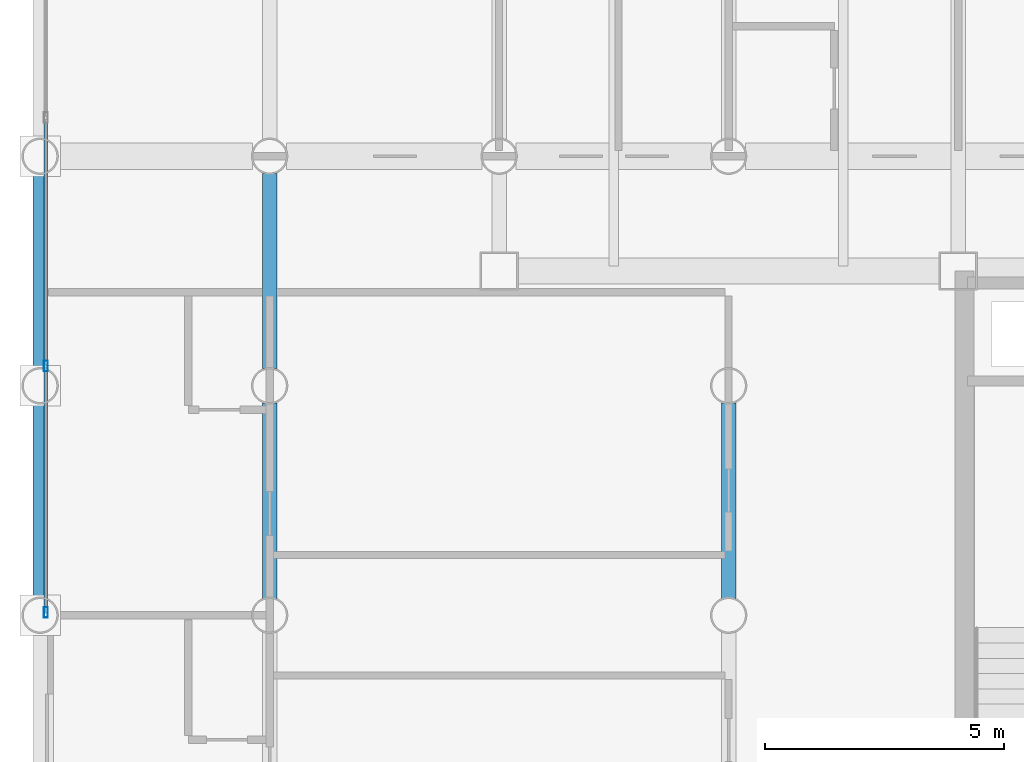
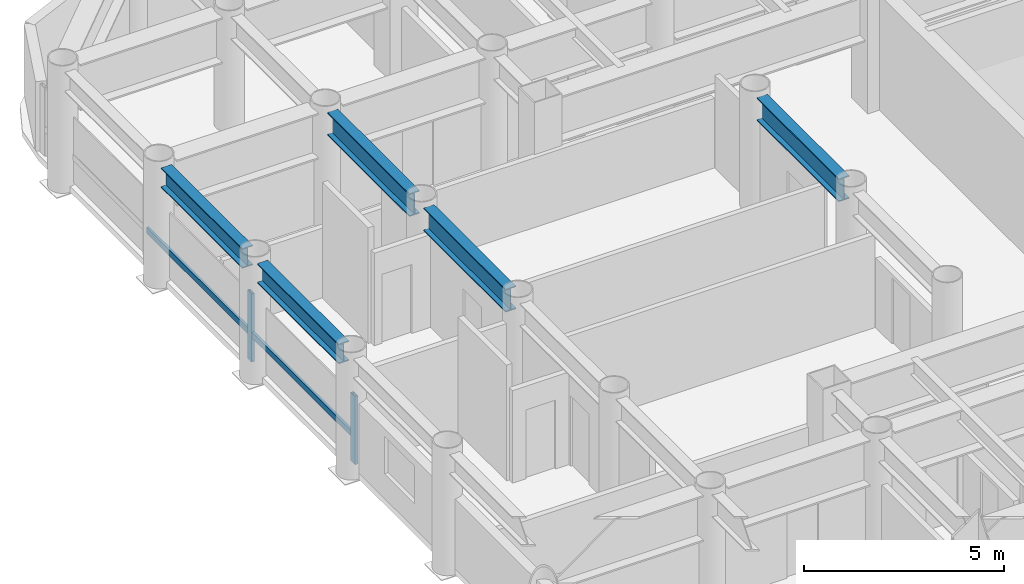
# One storey, part 4 of 24: 5 beams, 4 members, 1 element without a shape of its own.
"""IFC4 building model written with IfcOpenShell, lengths in metres."""

from ifc_helpers import new_model, si_unit, direction, frame, origin, origin_2d, place, context, subcontext, project, spatial, hollow_rectangle, i_section, extrude, material, layer, layer_set, material_profile, profile_set, type_object, element, aggregate, save


model = new_model("IFC4")

# Units and contexts
model_context = context("Model", 3, precision=1e-05, world=origin(), true_north=direction((0.0, 1.0)))
body_context = subcontext(model_context, "Body", "Model", "MODEL_VIEW")
ifc_project = project(units=[si_unit("LENGTHUNIT", "METRE"), si_unit("AREAUNIT", "SQUARE_METRE"), si_unit("VOLUMEUNIT", "CUBIC_METRE"), si_unit("PLANEANGLEUNIT", "RADIAN"), si_unit("MASSUNIT", "GRAM", prefix="KILO")], contexts=[model_context])

# Site, building, storey
site_placement = place(None, origin())
site = spatial("IfcSite", under=ifc_project, at=site_placement, CompositionType="ELEMENT")
building_placement = place(site_placement, origin())
building = spatial("IfcBuilding", under=site, at=building_placement, Name="Kallvorn Hotel Tower", CompositionType="ELEMENT")
storey_placement = place(building_placement, frame((0.0, 0.0, 30.0)))
storey = spatial("IfcBuildingStorey", under=building, at=storey_placement, Name="L05", CompositionType="ELEMENT", Elevation=30.0)

# Beams
ifc_material_1 = material(Name="Structural steel S355JR", Category="steel")
ifc_material_profile_1 = material_profile(ifc_material_1, i_section(OverallWidth=0.300048828125, OverallDepth=0.60009765625, WebThickness=0.015380859375, FlangeThickness=0.030029296875, at=origin_2d()), Name="HE 600 B")
ifc_profile_set_1 = profile_set([ifc_material_profile_1], Name="Structural steel S355JR")
beam_type_1 = type_object("IfcBeamType", Name="BM_HE600B", PredefinedType="SPANDREL", material=ifc_profile_set_1)
beam_1_placement = place(storey_placement, frame((-33.60009765625, 0.37109375, 3.219970703125), z_axis=(0.0, 1.0, 0.0), x_axis=(-1.0, 0.0, 0.0)))
element("IfcBeam", 1, at=beam_1_placement, inside=storey, type_object=beam_type_1, Name="L06 Perimeter Spandrel 178", PredefinedType="SPANDREL", context=body_context, shape_type="SweptSolid", body=[
    extrude(i_section(OverallWidth=0.300048828125, OverallDepth=0.60009765625, WebThickness=0.015380859375, FlangeThickness=0.030029296875, at=origin_2d()), origin(), (0.0, 0.0, 1.0), 4.057861328125),
])
beam_2_placement = place(storey_placement, frame((-33.60009765625, 5.1708984375, 3.219970703125), z_axis=(0.0, 1.0, 0.0), x_axis=(-1.0, 0.0, 0.0)))
element("IfcBeam", 2, at=beam_2_placement, inside=storey, type_object=beam_type_1, Name="L06 Perimeter Spandrel 179", PredefinedType="SPANDREL", context=body_context, shape_type="SweptSolid", body=[
    extrude(i_section(OverallWidth=0.300048828125, OverallDepth=0.60009765625, WebThickness=0.015380859375, FlangeThickness=0.030029296875, at=origin_2d()), origin(), (0.0, 0.0, 1.0), 4.05810546875),
])
ifc_material_2 = material(Name="Structural steel S355JR", Category="steel")
ifc_material_profile_2 = material_profile(ifc_material_2, i_section(OverallWidth=0.300048828125, OverallDepth=0.699951171875, WebThickness=0.01708984375, FlangeThickness=0.031982421875, at=origin_2d()), Name="HE 700 B")
ifc_profile_set_2 = profile_set([ifc_material_profile_2], Name="Structural steel S355JR")
beam_type_2 = type_object("IfcBeamType", Name="BM_HE700B", PredefinedType="BEAM", material=ifc_profile_set_2)
beam_3_placement = place(storey_placement, frame((-28.800048828125, 0.35595703125, 3.169921875), z_axis=(0.0, 1.0, 0.0), x_axis=(-1.0, 0.0, 0.0)))
element("IfcBeam", 3, at=beam_3_placement, inside=storey, type_object=beam_type_2, Name="L06 Primary Y-Girder 78", PredefinedType="BEAM", context=body_context, shape_type="SweptSolid", body=[
    extrude(i_section(OverallWidth=0.300048828125, OverallDepth=0.699951171875, WebThickness=0.01708984375, FlangeThickness=0.031982421875, at=origin_2d()), origin(), (0.0, 0.0, 1.0), 4.088134765625),
])
beam_4_placement = place(storey_placement, frame((-28.800048828125, 5.156005859375, 3.169921875), z_axis=(0.0, 1.0, 0.0), x_axis=(-1.0, 0.0, 0.0)))
element("IfcBeam", 4, at=beam_4_placement, inside=storey, type_object=beam_type_2, Name="L06 Primary Y-Girder 79", PredefinedType="BEAM", context=body_context, shape_type="SweptSolid", body=[
    extrude(i_section(OverallWidth=0.300048828125, OverallDepth=0.699951171875, WebThickness=0.01708984375, FlangeThickness=0.031982421875, at=origin_2d()), origin(), (0.0, 0.0, 1.0), 4.087890625),
])
beam_5_placement = place(storey_placement, frame((-19.199951171875, 0.35595703125, 3.169921875), z_axis=(0.0, 1.0, 0.0), x_axis=(-1.0, 0.0, 0.0)))
element("IfcBeam", 5, at=beam_5_placement, inside=storey, type_object=beam_type_2, Name="L06 Primary Y-Girder 94", PredefinedType="BEAM", context=body_context, shape_type="SweptSolid", body=[
    extrude(i_section(OverallWidth=0.300048828125, OverallDepth=0.699951171875, WebThickness=0.01708984375, FlangeThickness=0.031982421875, at=origin_2d()), origin(), (0.0, 0.0, 1.0), 4.088134765625),
])

# Curtain wall, members
ifc_material_3 = material(Name="Thermally broken black-anodised aluminium AA 6063-T6", Category="aluminium")
ifc_layer = layer(ifc_material_3, 0.199951171875)
ifc_layer_set = layer_set([ifc_layer], Name="CW_SYS_3_HOTEL_LOW")
curtain_wall_type = type_object("IfcCurtainWallType", Name="CW_SYS_3_HOTEL_LOW", PredefinedType="USERDEFINED", material=ifc_layer_set)
curtain_wall_placement = place(storey_placement, origin())
curtain_wall = element("IfcCurtainWall", 6, at=curtain_wall_placement, inside=storey, type_object=curtain_wall_type, Name="L05 Dark-Glass Curtain Wall CW-L05-WN", ObjectType="UNITISED CURTAIN WALL", PredefinedType="USERDEFINED")
ifc_material_4 = material(Name="Thermally broken black-anodised aluminium AA 6063-T6", Category="aluminium")
ifc_material_profile_3 = material_profile(ifc_material_4, hollow_rectangle(XDim=0.080078125, YDim=0.219970703125, WallThickness=0.0048828125, at=origin_2d()), Name="MUL 220x80")
ifc_profile_set_3 = profile_set([ifc_material_profile_3], Name="Thermally broken black-anodised aluminium AA 6063-T6")
member_type_1 = type_object("IfcMemberType", Name="CW_MULLION_220x80", PredefinedType="MULLION", material=ifc_profile_set_3)
member_1_placement = place(storey_placement, frame((-33.47998046875, 0.06005859375, 0.02001953125), z_axis=(0.0, 0.0, 1.0), x_axis=(1.0, 0.0, 0.0)))
member_1 = element("IfcMember", 7, at=member_1_placement, type_object=member_type_1, Name="CW-L05-WN Mullion 00", PredefinedType="MULLION", context=body_context, shape_type="SweptSolid", body=[
    extrude(hollow_rectangle(XDim=0.080078125, YDim=0.219970703125, WallThickness=0.0048828125, at=origin_2d()), origin(), (0.0, 0.0, 1.0), 2.080078125),
])
member_2_placement = place(storey_placement, frame((-33.47998046875, 5.21337890625, 0.02001953125), z_axis=(0.0, 0.0, 1.0), x_axis=(1.0, 0.0, 0.0)))
member_2 = element("IfcMember", 8, at=member_2_placement, type_object=member_type_1, Name="CW-L05-WN Mullion 01", PredefinedType="MULLION", context=body_context, shape_type="SweptSolid", body=[
    extrude(hollow_rectangle(XDim=0.080078125, YDim=0.219970703125, WallThickness=0.0048828125, at=origin_2d()), origin(), (0.0, 0.0, 1.0), 2.080078125),
])
ifc_material_5 = material(Name="Thermally broken black-anodised aluminium AA 6063-T6", Category="aluminium")
ifc_material_profile_4 = material_profile(ifc_material_5, hollow_rectangle(XDim=0.070068359375, YDim=0.179931640625, WallThickness=0.00390625, at=origin_2d()), Name="TRN 180x70")
ifc_profile_set_4 = profile_set([ifc_material_profile_4], Name="Thermally broken black-anodised aluminium AA 6063-T6")
member_type_2 = type_object("IfcMemberType", Name="CW_TRANSOM_180x70", PredefinedType="USERDEFINED", material=ifc_profile_set_4)
member_3_placement = place(storey_placement, frame((-33.47998046875, 0.06005859375, 0.85009765625), z_axis=(0.0, 1.0, 0.0), x_axis=(-1.0, 0.0, 0.0)))
member_3 = element("IfcMember", 9, at=member_3_placement, type_object=member_type_2, Name="CW-L05-WN Transom 00M", ObjectType="TRANSOM", PredefinedType="USERDEFINED", context=body_context, shape_type="SweptSolid", body=[
    extrude(hollow_rectangle(XDim=0.070068359375, YDim=0.179931640625, WallThickness=0.00390625, at=origin_2d()), origin(), (0.0, 0.0, 1.0), 5.11328125),
])
member_4_placement = place(storey_placement, frame((-33.47998046875, 5.25341796875, 0.85009765625), z_axis=(0.0, 1.0, 0.0), x_axis=(-1.0, 0.0, 0.0)))
member_4 = element("IfcMember", 10, at=member_4_placement, type_object=member_type_2, Name="CW-L05-WN Transom 01M", ObjectType="TRANSOM", PredefinedType="USERDEFINED", context=body_context, shape_type="SweptSolid", body=[
    extrude(hollow_rectangle(XDim=0.070068359375, YDim=0.179931640625, WallThickness=0.00390625, at=origin_2d()), origin(), (0.0, 0.0, 1.0), 5.11328125),
])
aggregate(curtain_wall, [member_1, member_2, member_3, member_4])

save(model, "model.ifc")
